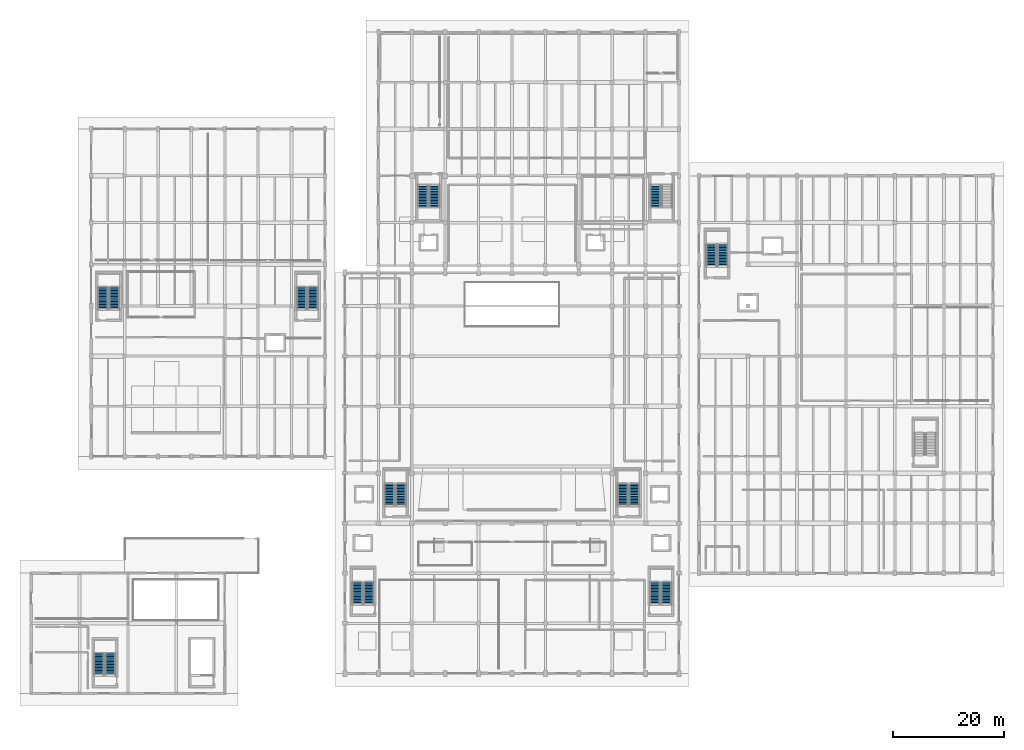
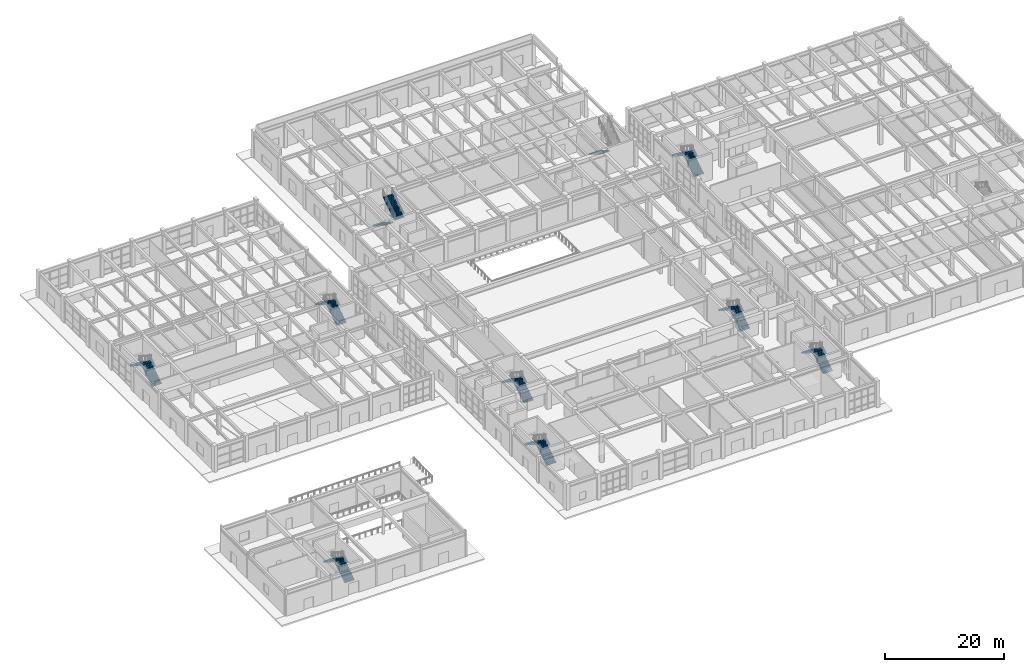
# One storey, part 79 of 91: 19 stair flights, 10 elements without a shape of their own.
"""IFC4 building model written with IfcOpenShell, lengths in metres."""

from ifc_helpers import new_model, si_unit, direction, frame, origin, place, context, subcontext, project, spatial, polyline, outline, extrude, material, type_object, element, aggregate, save


model = new_model("IFC4")

# Units and contexts
model_context = context("Model", 3, precision=1e-05, world=origin(), true_north=direction((0.0, 1.0)))
body_context = subcontext(model_context, "Body", "Model", "MODEL_VIEW")
ifc_project = project(units=[si_unit("LENGTHUNIT", "METRE"), si_unit("AREAUNIT", "SQUARE_METRE"), si_unit("VOLUMEUNIT", "CUBIC_METRE"), si_unit("PLANEANGLEUNIT", "RADIAN"), si_unit("MASSUNIT", "GRAM", prefix="KILO")], contexts=[model_context])

# Site, building, storey
site_placement = place(None, origin())
site = spatial("IfcSite", under=ifc_project, at=site_placement, CompositionType="ELEMENT")
building_placement = place(site_placement, origin())
building = spatial("IfcBuilding", under=site, at=building_placement, Name="Vaelkrest Opera House", CompositionType="ELEMENT")
storey_placement = place(building_placement, origin())
storey = spatial("IfcBuildingStorey", under=building, at=storey_placement, Name="L00", CompositionType="ELEMENT", Elevation=0.0)

# Stair, stair flights
ifc_material = material(Name="Concrete C40/50", Category="concrete")
stair_type_1 = type_object("IfcStairType", Name="ST01", PredefinedType="TWO_STRAIGHT_RUN_STAIR", material=ifc_material)
stair_1_placement = place(storey_placement, origin())
stair_1 = element("IfcStair", 1, at=stair_1_placement, inside=storey, type_object=stair_type_1, Name="L00 Protected exit stair ST01", PredefinedType="TWO_STRAIGHT_RUN_STAIR")
stair_flight_type = type_object("IfcStairFlightType", Name="SFL176", PredefinedType="STRAIGHT", material=ifc_material)
stair_flight_1_placement = place(storey_placement, frame((-19.925048828125, -25.64990234375, 0.0), z_axis=(0.0, 0.0, 1.0), x_axis=(0.0, 1.0, 0.0)))
stair_flight_1 = element("IfcStairFlight", 2, at=stair_flight_1_placement, type_object=stair_flight_type, Name="ST01 flight 1", NumberOfRisers=15, NumberOfTreads=14, PredefinedType="STRAIGHT", RiserHeight=0.18, TreadLength=0.28, context=body_context, shape_type="SweptSolid", body=[
    extrude(outline(polyline([(0.0, 0.0), (0.0, 0.179931640625), (0.280029296875, 0.179931640625), (0.280029296875, 0.360107421875), (0.56005859375, 0.360107421875), (0.56005859375, 0.5400390625), (0.840087890625, 0.5400390625), (0.840087890625, 0.719970703125), (1.1201171875, 0.719970703125), (1.1201171875, 0.89990234375), (1.39990234375, 0.89990234375), (1.39990234375, 1.080078125), (1.679931640625, 1.080078125), (1.679931640625, 1.260009765625), (1.9599609375, 1.260009765625), (1.9599609375, 1.43994140625), (2.239990234375, 1.43994140625), (2.239990234375, 1.6201171875), (2.52001953125, 1.6201171875), (2.52001953125, 1.800048828125), (2.800048828125, 1.800048828125), (2.800048828125, 1.97998046875), (3.080078125, 1.97998046875), (3.080078125, 2.159912109375), (3.360107421875, 2.159912109375), (3.360107421875, 2.340087890625), (3.639892578125, 2.340087890625), (3.639892578125, 2.52001953125), (3.919921875, 2.52001953125), (3.919921875, 2.699951171875), (3.919921875, 2.329833984375), (0.295654296875, 0.0), (0.0, 0.0)])), frame((0.0, 0.925048828125, 0.0), z_axis=(0.0, -1.0, 0.0), x_axis=(1.0, 0.0, 0.0)), (0.0, 0.0, 1.0), 1.85009765625),
])
stair_flight_2_placement = place(storey_placement, frame((-21.97509765625, -21.72998046875, 2.699951171875), z_axis=(0.0, 0.0, 1.0), x_axis=(0.0, -1.0, 0.0)))
stair_flight_2 = element("IfcStairFlight", 3, at=stair_flight_2_placement, type_object=stair_flight_type, Name="ST01 flight 2", NumberOfRisers=15, NumberOfTreads=14, PredefinedType="STRAIGHT", RiserHeight=0.18, TreadLength=0.28, context=body_context, shape_type="SweptSolid", body=[
    extrude(outline(polyline([(0.0, 0.0), (0.0, 0.179931640625), (0.280029296875, 0.179931640625), (0.280029296875, 0.360107421875), (0.56005859375, 0.360107421875), (0.56005859375, 0.5400390625), (0.840087890625, 0.5400390625), (0.840087890625, 0.719970703125), (1.1201171875, 0.719970703125), (1.1201171875, 0.89990234375), (1.39990234375, 0.89990234375), (1.39990234375, 1.080078125), (1.679931640625, 1.080078125), (1.679931640625, 1.260009765625), (1.9599609375, 1.260009765625), (1.9599609375, 1.43994140625), (2.239990234375, 1.43994140625), (2.239990234375, 1.6201171875), (2.52001953125, 1.6201171875), (2.52001953125, 1.800048828125), (2.800048828125, 1.800048828125), (2.800048828125, 1.97998046875), (3.080078125, 1.97998046875), (3.080078125, 2.159912109375), (3.360107421875, 2.159912109375), (3.360107421875, 2.340087890625), (3.639892578125, 2.340087890625), (3.639892578125, 2.52001953125), (3.919921875, 2.52001953125), (3.919921875, 2.699951171875), (3.919921875, 2.329833984375), (0.295654296875, 0.0), (0.0, 0.0)])), frame((0.0, 0.925048828125, 0.0), z_axis=(0.0, -1.0, 0.0), x_axis=(1.0, 0.0, 0.0)), (0.0, 0.0, 1.0), 1.85009765625),
])
aggregate(stair_1, [stair_flight_1, stair_flight_2])

stair_type_2 = type_object("IfcStairType", Name="ST02", PredefinedType="TWO_STRAIGHT_RUN_STAIR", material=ifc_material)
stair_2_placement = place(storey_placement, origin())
stair_2 = element("IfcStair", 4, at=stair_2_placement, inside=storey, type_object=stair_type_2, Name="L00 Protected exit stair ST02", PredefinedType="TWO_STRAIGHT_RUN_STAIR")
stair_flight_3_placement = place(storey_placement, frame((21.97509765625, -25.64990234375, 0.0), z_axis=(0.0, 0.0, 1.0), x_axis=(0.0, 1.0, 0.0)))
stair_flight_3 = element("IfcStairFlight", 5, at=stair_flight_3_placement, type_object=stair_flight_type, Name="ST02 flight 1", NumberOfRisers=15, NumberOfTreads=14, PredefinedType="STRAIGHT", RiserHeight=0.18, TreadLength=0.28, context=body_context, shape_type="SweptSolid", body=[
    extrude(outline(polyline([(0.0, 0.0), (0.0, 0.179931640625), (0.280029296875, 0.179931640625), (0.280029296875, 0.360107421875), (0.56005859375, 0.360107421875), (0.56005859375, 0.5400390625), (0.840087890625, 0.5400390625), (0.840087890625, 0.719970703125), (1.1201171875, 0.719970703125), (1.1201171875, 0.89990234375), (1.39990234375, 0.89990234375), (1.39990234375, 1.080078125), (1.679931640625, 1.080078125), (1.679931640625, 1.260009765625), (1.9599609375, 1.260009765625), (1.9599609375, 1.43994140625), (2.239990234375, 1.43994140625), (2.239990234375, 1.6201171875), (2.52001953125, 1.6201171875), (2.52001953125, 1.800048828125), (2.800048828125, 1.800048828125), (2.800048828125, 1.97998046875), (3.080078125, 1.97998046875), (3.080078125, 2.159912109375), (3.360107421875, 2.159912109375), (3.360107421875, 2.340087890625), (3.639892578125, 2.340087890625), (3.639892578125, 2.52001953125), (3.919921875, 2.52001953125), (3.919921875, 2.699951171875), (3.919921875, 2.329833984375), (0.295654296875, 0.0), (0.0, 0.0)])), frame((0.0, 0.925048828125, 0.0), z_axis=(0.0, -1.0, 0.0), x_axis=(1.0, 0.0, 0.0)), (0.0, 0.0, 1.0), 1.85009765625),
])
stair_flight_4_placement = place(storey_placement, frame((19.925048828125, -21.72998046875, 2.699951171875), z_axis=(0.0, 0.0, 1.0), x_axis=(0.0, -1.0, 0.0)))
stair_flight_4 = element("IfcStairFlight", 6, at=stair_flight_4_placement, type_object=stair_flight_type, Name="ST02 flight 2", NumberOfRisers=15, NumberOfTreads=14, PredefinedType="STRAIGHT", RiserHeight=0.18, TreadLength=0.28, context=body_context, shape_type="SweptSolid", body=[
    extrude(outline(polyline([(0.0, 0.0), (0.0, 0.179931640625), (0.280029296875, 0.179931640625), (0.280029296875, 0.360107421875), (0.56005859375, 0.360107421875), (0.56005859375, 0.5400390625), (0.840087890625, 0.5400390625), (0.840087890625, 0.719970703125), (1.1201171875, 0.719970703125), (1.1201171875, 0.89990234375), (1.39990234375, 0.89990234375), (1.39990234375, 1.080078125), (1.679931640625, 1.080078125), (1.679931640625, 1.260009765625), (1.9599609375, 1.260009765625), (1.9599609375, 1.43994140625), (2.239990234375, 1.43994140625), (2.239990234375, 1.6201171875), (2.52001953125, 1.6201171875), (2.52001953125, 1.800048828125), (2.800048828125, 1.800048828125), (2.800048828125, 1.97998046875), (3.080078125, 1.97998046875), (3.080078125, 2.159912109375), (3.360107421875, 2.159912109375), (3.360107421875, 2.340087890625), (3.639892578125, 2.340087890625), (3.639892578125, 2.52001953125), (3.919921875, 2.52001953125), (3.919921875, 2.699951171875), (3.919921875, 2.329833984375), (0.295654296875, 0.0), (0.0, 0.0)])), frame((0.0, 0.925048828125, 0.0), z_axis=(0.0, -1.0, 0.0), x_axis=(1.0, 0.0, 0.0)), (0.0, 0.0, 1.0), 1.85009765625),
])
aggregate(stair_2, [stair_flight_3, stair_flight_4])

stair_type_3 = type_object("IfcStairType", Name="ST03", PredefinedType="TWO_STRAIGHT_RUN_STAIR", material=ifc_material)
stair_3_placement = place(storey_placement, origin())
stair_3 = element("IfcStair", 7, at=stair_3_placement, inside=storey, type_object=stair_type_3, Name="L00 Protected exit stair ST03", PredefinedType="TWO_STRAIGHT_RUN_STAIR")
stair_flight_5_placement = place(storey_placement, frame((-25.72509765625, -43.35009765625, 0.0), z_axis=(0.0, 0.0, 1.0), x_axis=(0.0, 1.0, 0.0)))
stair_flight_5 = element("IfcStairFlight", 8, at=stair_flight_5_placement, type_object=stair_flight_type, Name="ST03 flight 1", NumberOfRisers=15, NumberOfTreads=14, PredefinedType="STRAIGHT", RiserHeight=0.18, TreadLength=0.28, context=body_context, shape_type="SweptSolid", body=[
    extrude(outline(polyline([(0.0, 0.0), (0.0, 0.179931640625), (0.280029296875, 0.179931640625), (0.280029296875, 0.360107421875), (0.56005859375, 0.360107421875), (0.56005859375, 0.5400390625), (0.840087890625, 0.5400390625), (0.840087890625, 0.719970703125), (1.1201171875, 0.719970703125), (1.1201171875, 0.89990234375), (1.39990234375, 0.89990234375), (1.39990234375, 1.080078125), (1.679931640625, 1.080078125), (1.679931640625, 1.260009765625), (1.9599609375, 1.260009765625), (1.9599609375, 1.43994140625), (2.239990234375, 1.43994140625), (2.239990234375, 1.6201171875), (2.52001953125, 1.6201171875), (2.52001953125, 1.800048828125), (2.800048828125, 1.800048828125), (2.800048828125, 1.97998046875), (3.080078125, 1.97998046875), (3.080078125, 2.159912109375), (3.360107421875, 2.159912109375), (3.360107421875, 2.340087890625), (3.639892578125, 2.340087890625), (3.639892578125, 2.52001953125), (3.919921875, 2.52001953125), (3.919921875, 2.699951171875), (3.919921875, 2.329833984375), (0.295654296875, 0.0), (0.0, 0.0)])), frame((0.0, 0.925048828125, 0.0), z_axis=(0.0, -1.0, 0.0), x_axis=(1.0, 0.0, 0.0)), (0.0, 0.0, 1.0), 1.85009765625),
])
stair_flight_6_placement = place(storey_placement, frame((-27.77490234375, -39.429931640625, 2.699951171875), z_axis=(0.0, 0.0, 1.0), x_axis=(0.0, -1.0, 0.0)))
stair_flight_6 = element("IfcStairFlight", 9, at=stair_flight_6_placement, type_object=stair_flight_type, Name="ST03 flight 2", NumberOfRisers=15, NumberOfTreads=14, PredefinedType="STRAIGHT", RiserHeight=0.18, TreadLength=0.28, context=body_context, shape_type="SweptSolid", body=[
    extrude(outline(polyline([(0.0, 0.0), (0.0, 0.179931640625), (0.280029296875, 0.179931640625), (0.280029296875, 0.360107421875), (0.56005859375, 0.360107421875), (0.56005859375, 0.5400390625), (0.840087890625, 0.5400390625), (0.840087890625, 0.719970703125), (1.1201171875, 0.719970703125), (1.1201171875, 0.89990234375), (1.39990234375, 0.89990234375), (1.39990234375, 1.080078125), (1.679931640625, 1.080078125), (1.679931640625, 1.260009765625), (1.9599609375, 1.260009765625), (1.9599609375, 1.43994140625), (2.239990234375, 1.43994140625), (2.239990234375, 1.6201171875), (2.52001953125, 1.6201171875), (2.52001953125, 1.800048828125), (2.800048828125, 1.800048828125), (2.800048828125, 1.97998046875), (3.080078125, 1.97998046875), (3.080078125, 2.159912109375), (3.360107421875, 2.159912109375), (3.360107421875, 2.340087890625), (3.639892578125, 2.340087890625), (3.639892578125, 2.52001953125), (3.919921875, 2.52001953125), (3.919921875, 2.699951171875), (3.919921875, 2.329833984375), (0.295654296875, 0.0), (0.0, 0.0)])), frame((0.0, 0.925048828125, 0.0), z_axis=(0.0, -1.0, 0.0), x_axis=(1.0, 0.0, 0.0)), (0.0, 0.0, 1.0), 1.85009765625),
])
aggregate(stair_3, [stair_flight_5, stair_flight_6])

stair_type_4 = type_object("IfcStairType", Name="ST04", PredefinedType="TWO_STRAIGHT_RUN_STAIR", material=ifc_material)
stair_4_placement = place(storey_placement, origin())
stair_4 = element("IfcStair", 10, at=stair_4_placement, inside=storey, type_object=stair_type_4, Name="L00 Protected exit stair ST04", PredefinedType="TWO_STRAIGHT_RUN_STAIR")
stair_flight_7_placement = place(storey_placement, frame((27.77490234375, -43.35009765625, 0.0), z_axis=(0.0, 0.0, 1.0), x_axis=(0.0, 1.0, 0.0)))
stair_flight_7 = element("IfcStairFlight", 11, at=stair_flight_7_placement, type_object=stair_flight_type, Name="ST04 flight 1", NumberOfRisers=15, NumberOfTreads=14, PredefinedType="STRAIGHT", RiserHeight=0.18, TreadLength=0.28, context=body_context, shape_type="SweptSolid", body=[
    extrude(outline(polyline([(0.0, 0.0), (0.0, 0.179931640625), (0.280029296875, 0.179931640625), (0.280029296875, 0.360107421875), (0.56005859375, 0.360107421875), (0.56005859375, 0.5400390625), (0.840087890625, 0.5400390625), (0.840087890625, 0.719970703125), (1.1201171875, 0.719970703125), (1.1201171875, 0.89990234375), (1.39990234375, 0.89990234375), (1.39990234375, 1.080078125), (1.679931640625, 1.080078125), (1.679931640625, 1.260009765625), (1.9599609375, 1.260009765625), (1.9599609375, 1.43994140625), (2.239990234375, 1.43994140625), (2.239990234375, 1.6201171875), (2.52001953125, 1.6201171875), (2.52001953125, 1.800048828125), (2.800048828125, 1.800048828125), (2.800048828125, 1.97998046875), (3.080078125, 1.97998046875), (3.080078125, 2.159912109375), (3.360107421875, 2.159912109375), (3.360107421875, 2.340087890625), (3.639892578125, 2.340087890625), (3.639892578125, 2.52001953125), (3.919921875, 2.52001953125), (3.919921875, 2.699951171875), (3.919921875, 2.329833984375), (0.295654296875, 0.0), (0.0, 0.0)])), frame((0.0, 0.925048828125, 0.0), z_axis=(0.0, -1.0, 0.0), x_axis=(1.0, 0.0, 0.0)), (0.0, 0.0, 1.0), 1.85009765625),
])
stair_flight_8_placement = place(storey_placement, frame((25.72509765625, -39.429931640625, 2.699951171875), z_axis=(0.0, 0.0, 1.0), x_axis=(0.0, -1.0, 0.0)))
stair_flight_8 = element("IfcStairFlight", 12, at=stair_flight_8_placement, type_object=stair_flight_type, Name="ST04 flight 2", NumberOfRisers=15, NumberOfTreads=14, PredefinedType="STRAIGHT", RiserHeight=0.18, TreadLength=0.28, context=body_context, shape_type="SweptSolid", body=[
    extrude(outline(polyline([(0.0, 0.0), (0.0, 0.179931640625), (0.280029296875, 0.179931640625), (0.280029296875, 0.360107421875), (0.56005859375, 0.360107421875), (0.56005859375, 0.5400390625), (0.840087890625, 0.5400390625), (0.840087890625, 0.719970703125), (1.1201171875, 0.719970703125), (1.1201171875, 0.89990234375), (1.39990234375, 0.89990234375), (1.39990234375, 1.080078125), (1.679931640625, 1.080078125), (1.679931640625, 1.260009765625), (1.9599609375, 1.260009765625), (1.9599609375, 1.43994140625), (2.239990234375, 1.43994140625), (2.239990234375, 1.6201171875), (2.52001953125, 1.6201171875), (2.52001953125, 1.800048828125), (2.800048828125, 1.800048828125), (2.800048828125, 1.97998046875), (3.080078125, 1.97998046875), (3.080078125, 2.159912109375), (3.360107421875, 2.159912109375), (3.360107421875, 2.340087890625), (3.639892578125, 2.340087890625), (3.639892578125, 2.52001953125), (3.919921875, 2.52001953125), (3.919921875, 2.699951171875), (3.919921875, 2.329833984375), (0.295654296875, 0.0), (0.0, 0.0)])), frame((0.0, 0.925048828125, 0.0), z_axis=(0.0, -1.0, 0.0), x_axis=(1.0, 0.0, 0.0)), (0.0, 0.0, 1.0), 1.85009765625),
])
aggregate(stair_4, [stair_flight_7, stair_flight_8])

stair_type_5 = type_object("IfcStairType", Name="ST05", PredefinedType="TWO_STRAIGHT_RUN_STAIR", material=ifc_material)
stair_5_placement = place(storey_placement, origin())
stair_5 = element("IfcStair", 13, at=stair_5_placement, inside=storey, type_object=stair_type_5, Name="L00 Protected exit stair ST05", PredefinedType="TWO_STRAIGHT_RUN_STAIR")
stair_flight_9_placement = place(storey_placement, frame((-15.97509765625, 31.949951171875, 0.0), z_axis=(0.0, 0.0, 1.0), x_axis=(0.0, -1.0, 0.0)))
stair_flight_9 = element("IfcStairFlight", 14, at=stair_flight_9_placement, type_object=stair_flight_type, Name="ST05 flight 1", NumberOfRisers=15, NumberOfTreads=14, PredefinedType="STRAIGHT", RiserHeight=0.18, TreadLength=0.28, context=body_context, shape_type="SweptSolid", body=[
    extrude(outline(polyline([(0.0, 0.0), (0.0, 0.179931640625), (0.280029296875, 0.179931640625), (0.280029296875, 0.360107421875), (0.56005859375, 0.360107421875), (0.56005859375, 0.5400390625), (0.840087890625, 0.5400390625), (0.840087890625, 0.719970703125), (1.1201171875, 0.719970703125), (1.1201171875, 0.89990234375), (1.39990234375, 0.89990234375), (1.39990234375, 1.080078125), (1.679931640625, 1.080078125), (1.679931640625, 1.260009765625), (1.9599609375, 1.260009765625), (1.9599609375, 1.43994140625), (2.239990234375, 1.43994140625), (2.239990234375, 1.6201171875), (2.52001953125, 1.6201171875), (2.52001953125, 1.800048828125), (2.800048828125, 1.800048828125), (2.800048828125, 1.97998046875), (3.080078125, 1.97998046875), (3.080078125, 2.159912109375), (3.360107421875, 2.159912109375), (3.360107421875, 2.340087890625), (3.639892578125, 2.340087890625), (3.639892578125, 2.52001953125), (3.919921875, 2.52001953125), (3.919921875, 2.699951171875), (3.919921875, 2.329833984375), (0.295654296875, 0.0), (0.0, 0.0)])), frame((0.0, 0.925048828125, 0.0), z_axis=(0.0, -1.0, 0.0), x_axis=(1.0, 0.0, 0.0)), (0.0, 0.0, 1.0), 1.85009765625),
])
stair_flight_10_placement = place(storey_placement, frame((-13.925048828125, 28.030029296875, 2.699951171875), z_axis=(0.0, 0.0, 1.0), x_axis=(0.0, 1.0, 0.0)))
stair_flight_10 = element("IfcStairFlight", 15, at=stair_flight_10_placement, type_object=stair_flight_type, Name="ST05 flight 2", NumberOfRisers=15, NumberOfTreads=14, PredefinedType="STRAIGHT", RiserHeight=0.18, TreadLength=0.28, context=body_context, shape_type="SweptSolid", body=[
    extrude(outline(polyline([(0.0, 0.0), (0.0, 0.179931640625), (0.280029296875, 0.179931640625), (0.280029296875, 0.360107421875), (0.56005859375, 0.360107421875), (0.56005859375, 0.5400390625), (0.840087890625, 0.5400390625), (0.840087890625, 0.719970703125), (1.1201171875, 0.719970703125), (1.1201171875, 0.89990234375), (1.39990234375, 0.89990234375), (1.39990234375, 1.080078125), (1.679931640625, 1.080078125), (1.679931640625, 1.260009765625), (1.9599609375, 1.260009765625), (1.9599609375, 1.43994140625), (2.239990234375, 1.43994140625), (2.239990234375, 1.6201171875), (2.52001953125, 1.6201171875), (2.52001953125, 1.800048828125), (2.800048828125, 1.800048828125), (2.800048828125, 1.97998046875), (3.080078125, 1.97998046875), (3.080078125, 2.159912109375), (3.360107421875, 2.159912109375), (3.360107421875, 2.340087890625), (3.639892578125, 2.340087890625), (3.639892578125, 2.52001953125), (3.919921875, 2.52001953125), (3.919921875, 2.699951171875), (3.919921875, 2.329833984375), (0.295654296875, 0.0), (0.0, 0.0)])), frame((0.0, 0.925048828125, 0.0), z_axis=(0.0, -1.0, 0.0), x_axis=(1.0, 0.0, 0.0)), (0.0, 0.0, 1.0), 1.85009765625),
])
aggregate(stair_5, [stair_flight_9, stair_flight_10])

# Stair, stair flight
stair_type_6 = type_object("IfcStairType", Name="ST06", PredefinedType="TWO_STRAIGHT_RUN_STAIR", material=ifc_material)
stair_6_placement = place(storey_placement, origin())
stair_6 = element("IfcStair", 16, at=stair_6_placement, inside=storey, type_object=stair_type_6, Name="L00 Protected exit stair ST06", PredefinedType="TWO_STRAIGHT_RUN_STAIR")
stair_flight_11_placement = place(storey_placement, frame((25.824951171875, 31.949951171875, 0.0), z_axis=(0.0, 0.0, 1.0), x_axis=(0.0, -1.0, 0.0)))
stair_flight_11 = element("IfcStairFlight", 17, at=stair_flight_11_placement, type_object=stair_flight_type, Name="ST06 flight 1", NumberOfRisers=15, NumberOfTreads=14, PredefinedType="STRAIGHT", RiserHeight=0.18, TreadLength=0.28, context=body_context, shape_type="SweptSolid", body=[
    extrude(outline(polyline([(0.0, 0.0), (0.0, 0.179931640625), (0.280029296875, 0.179931640625), (0.280029296875, 0.360107421875), (0.56005859375, 0.360107421875), (0.56005859375, 0.5400390625), (0.840087890625, 0.5400390625), (0.840087890625, 0.719970703125), (1.1201171875, 0.719970703125), (1.1201171875, 0.89990234375), (1.39990234375, 0.89990234375), (1.39990234375, 1.080078125), (1.679931640625, 1.080078125), (1.679931640625, 1.260009765625), (1.9599609375, 1.260009765625), (1.9599609375, 1.43994140625), (2.239990234375, 1.43994140625), (2.239990234375, 1.6201171875), (2.52001953125, 1.6201171875), (2.52001953125, 1.800048828125), (2.800048828125, 1.800048828125), (2.800048828125, 1.97998046875), (3.080078125, 1.97998046875), (3.080078125, 2.159912109375), (3.360107421875, 2.159912109375), (3.360107421875, 2.340087890625), (3.639892578125, 2.340087890625), (3.639892578125, 2.52001953125), (3.919921875, 2.52001953125), (3.919921875, 2.699951171875), (3.919921875, 2.329833984375), (0.295654296875, 0.0), (0.0, 0.0)])), frame((0.0, 0.925048828125, 0.0), z_axis=(0.0, -1.0, 0.0), x_axis=(1.0, 0.0, 0.0)), (0.0, 0.0, 1.0), 1.85009765625),
])
aggregate(stair_6, [stair_flight_11])

# Stair, stair flights
stair_type_7 = type_object("IfcStairType", Name="ST07", PredefinedType="TWO_STRAIGHT_RUN_STAIR", material=ifc_material)
stair_7_placement = place(storey_placement, origin())
stair_7 = element("IfcStair", 18, at=stair_7_placement, inside=storey, type_object=stair_type_7, Name="L00 Protected exit stair ST07", PredefinedType="TWO_STRAIGHT_RUN_STAIR")
stair_flight_12_placement = place(storey_placement, frame((-71.425048828125, 9.64990234375, 0.0), z_axis=(0.0, 0.0, 1.0), x_axis=(0.0, 1.0, 0.0)))
stair_flight_12 = element("IfcStairFlight", 19, at=stair_flight_12_placement, type_object=stair_flight_type, Name="ST07 flight 1", NumberOfRisers=15, NumberOfTreads=14, PredefinedType="STRAIGHT", RiserHeight=0.18, TreadLength=0.28, context=body_context, shape_type="SweptSolid", body=[
    extrude(outline(polyline([(0.0, 0.0), (0.0, 0.179931640625), (0.280029296875, 0.179931640625), (0.280029296875, 0.360107421875), (0.56005859375, 0.360107421875), (0.56005859375, 0.5400390625), (0.840087890625, 0.5400390625), (0.840087890625, 0.719970703125), (1.1201171875, 0.719970703125), (1.1201171875, 0.89990234375), (1.39990234375, 0.89990234375), (1.39990234375, 1.080078125), (1.679931640625, 1.080078125), (1.679931640625, 1.260009765625), (1.9599609375, 1.260009765625), (1.9599609375, 1.43994140625), (2.239990234375, 1.43994140625), (2.239990234375, 1.6201171875), (2.52001953125, 1.6201171875), (2.52001953125, 1.800048828125), (2.800048828125, 1.800048828125), (2.800048828125, 1.97998046875), (3.080078125, 1.97998046875), (3.080078125, 2.159912109375), (3.360107421875, 2.159912109375), (3.360107421875, 2.340087890625), (3.639892578125, 2.340087890625), (3.639892578125, 2.52001953125), (3.919921875, 2.52001953125), (3.919921875, 2.699951171875), (3.919921875, 2.329833984375), (0.295654296875, 0.0), (0.0, 0.0)])), frame((0.0, 0.925048828125, 0.0), z_axis=(0.0, -1.0, 0.0), x_axis=(1.0, 0.0, 0.0)), (0.0, 0.0, 1.0), 1.85009765625),
])
stair_flight_13_placement = place(storey_placement, frame((-73.47509765625, 13.570068359375, 2.699951171875), z_axis=(0.0, 0.0, 1.0), x_axis=(0.0, -1.0, 0.0)))
stair_flight_13 = element("IfcStairFlight", 20, at=stair_flight_13_placement, type_object=stair_flight_type, Name="ST07 flight 2", NumberOfRisers=15, NumberOfTreads=14, PredefinedType="STRAIGHT", RiserHeight=0.18, TreadLength=0.28, context=body_context, shape_type="SweptSolid", body=[
    extrude(outline(polyline([(0.0, 0.0), (0.0, 0.179931640625), (0.280029296875, 0.179931640625), (0.280029296875, 0.360107421875), (0.56005859375, 0.360107421875), (0.56005859375, 0.5400390625), (0.840087890625, 0.5400390625), (0.840087890625, 0.719970703125), (1.1201171875, 0.719970703125), (1.1201171875, 0.89990234375), (1.39990234375, 0.89990234375), (1.39990234375, 1.080078125), (1.679931640625, 1.080078125), (1.679931640625, 1.260009765625), (1.9599609375, 1.260009765625), (1.9599609375, 1.43994140625), (2.239990234375, 1.43994140625), (2.239990234375, 1.6201171875), (2.52001953125, 1.6201171875), (2.52001953125, 1.800048828125), (2.800048828125, 1.800048828125), (2.800048828125, 1.97998046875), (3.080078125, 1.97998046875), (3.080078125, 2.159912109375), (3.360107421875, 2.159912109375), (3.360107421875, 2.340087890625), (3.639892578125, 2.340087890625), (3.639892578125, 2.52001953125), (3.919921875, 2.52001953125), (3.919921875, 2.699951171875), (3.919921875, 2.329833984375), (0.295654296875, 0.0), (0.0, 0.0)])), frame((0.0, 0.925048828125, 0.0), z_axis=(0.0, -1.0, 0.0), x_axis=(1.0, 0.0, 0.0)), (0.0, 0.0, 1.0), 1.85009765625),
])
aggregate(stair_7, [stair_flight_12, stair_flight_13])

stair_type_8 = type_object("IfcStairType", Name="ST08", PredefinedType="TWO_STRAIGHT_RUN_STAIR", material=ifc_material)
stair_8_placement = place(storey_placement, origin())
stair_8 = element("IfcStair", 21, at=stair_8_placement, inside=storey, type_object=stair_type_8, Name="L00 Protected exit stair ST08", PredefinedType="TWO_STRAIGHT_RUN_STAIR")
stair_flight_14_placement = place(storey_placement, frame((-35.72509765625, 9.64990234375, 0.0), z_axis=(0.0, 0.0, 1.0), x_axis=(0.0, 1.0, 0.0)))
stair_flight_14 = element("IfcStairFlight", 22, at=stair_flight_14_placement, type_object=stair_flight_type, Name="ST08 flight 1", NumberOfRisers=15, NumberOfTreads=14, PredefinedType="STRAIGHT", RiserHeight=0.18, TreadLength=0.28, context=body_context, shape_type="SweptSolid", body=[
    extrude(outline(polyline([(0.0, 0.0), (0.0, 0.179931640625), (0.280029296875, 0.179931640625), (0.280029296875, 0.360107421875), (0.56005859375, 0.360107421875), (0.56005859375, 0.5400390625), (0.840087890625, 0.5400390625), (0.840087890625, 0.719970703125), (1.1201171875, 0.719970703125), (1.1201171875, 0.89990234375), (1.39990234375, 0.89990234375), (1.39990234375, 1.080078125), (1.679931640625, 1.080078125), (1.679931640625, 1.260009765625), (1.9599609375, 1.260009765625), (1.9599609375, 1.43994140625), (2.239990234375, 1.43994140625), (2.239990234375, 1.6201171875), (2.52001953125, 1.6201171875), (2.52001953125, 1.800048828125), (2.800048828125, 1.800048828125), (2.800048828125, 1.97998046875), (3.080078125, 1.97998046875), (3.080078125, 2.159912109375), (3.360107421875, 2.159912109375), (3.360107421875, 2.340087890625), (3.639892578125, 2.340087890625), (3.639892578125, 2.52001953125), (3.919921875, 2.52001953125), (3.919921875, 2.699951171875), (3.919921875, 2.329833984375), (0.295654296875, 0.0), (0.0, 0.0)])), frame((0.0, 0.925048828125, 0.0), z_axis=(0.0, -1.0, 0.0), x_axis=(1.0, 0.0, 0.0)), (0.0, 0.0, 1.0), 1.85009765625),
])
stair_flight_15_placement = place(storey_placement, frame((-37.77490234375, 13.570068359375, 2.699951171875), z_axis=(0.0, 0.0, 1.0), x_axis=(0.0, -1.0, 0.0)))
stair_flight_15 = element("IfcStairFlight", 23, at=stair_flight_15_placement, type_object=stair_flight_type, Name="ST08 flight 2", NumberOfRisers=15, NumberOfTreads=14, PredefinedType="STRAIGHT", RiserHeight=0.18, TreadLength=0.28, context=body_context, shape_type="SweptSolid", body=[
    extrude(outline(polyline([(0.0, 0.0), (0.0, 0.179931640625), (0.280029296875, 0.179931640625), (0.280029296875, 0.360107421875), (0.56005859375, 0.360107421875), (0.56005859375, 0.5400390625), (0.840087890625, 0.5400390625), (0.840087890625, 0.719970703125), (1.1201171875, 0.719970703125), (1.1201171875, 0.89990234375), (1.39990234375, 0.89990234375), (1.39990234375, 1.080078125), (1.679931640625, 1.080078125), (1.679931640625, 1.260009765625), (1.9599609375, 1.260009765625), (1.9599609375, 1.43994140625), (2.239990234375, 1.43994140625), (2.239990234375, 1.6201171875), (2.52001953125, 1.6201171875), (2.52001953125, 1.800048828125), (2.800048828125, 1.800048828125), (2.800048828125, 1.97998046875), (3.080078125, 1.97998046875), (3.080078125, 2.159912109375), (3.360107421875, 2.159912109375), (3.360107421875, 2.340087890625), (3.639892578125, 2.340087890625), (3.639892578125, 2.52001953125), (3.919921875, 2.52001953125), (3.919921875, 2.699951171875), (3.919921875, 2.329833984375), (0.295654296875, 0.0), (0.0, 0.0)])), frame((0.0, 0.925048828125, 0.0), z_axis=(0.0, -1.0, 0.0), x_axis=(1.0, 0.0, 0.0)), (0.0, 0.0, 1.0), 1.85009765625),
])
aggregate(stair_8, [stair_flight_14, stair_flight_15])

stair_type_9 = type_object("IfcStairType", Name="ST09", PredefinedType="TWO_STRAIGHT_RUN_STAIR", material=ifc_material)
stair_9_placement = place(storey_placement, origin())
stair_9 = element("IfcStair", 24, at=stair_9_placement, inside=storey, type_object=stair_type_9, Name="L00 Protected exit stair ST09", PredefinedType="TWO_STRAIGHT_RUN_STAIR")
stair_flight_16_placement = place(storey_placement, frame((37.875, 17.35009765625, 0.0), z_axis=(0.0, 0.0, 1.0), x_axis=(0.0, 1.0, 0.0)))
stair_flight_16 = element("IfcStairFlight", 25, at=stair_flight_16_placement, type_object=stair_flight_type, Name="ST09 flight 1", NumberOfRisers=15, NumberOfTreads=14, PredefinedType="STRAIGHT", RiserHeight=0.18, TreadLength=0.28, context=body_context, shape_type="SweptSolid", body=[
    extrude(outline(polyline([(0.0, 0.0), (0.0, 0.179931640625), (0.280029296875, 0.179931640625), (0.280029296875, 0.360107421875), (0.56005859375, 0.360107421875), (0.56005859375, 0.5400390625), (0.840087890625, 0.5400390625), (0.840087890625, 0.719970703125), (1.1201171875, 0.719970703125), (1.1201171875, 0.89990234375), (1.39990234375, 0.89990234375), (1.39990234375, 1.080078125), (1.679931640625, 1.080078125), (1.679931640625, 1.260009765625), (1.9599609375, 1.260009765625), (1.9599609375, 1.43994140625), (2.239990234375, 1.43994140625), (2.239990234375, 1.6201171875), (2.52001953125, 1.6201171875), (2.52001953125, 1.800048828125), (2.800048828125, 1.800048828125), (2.800048828125, 1.97998046875), (3.080078125, 1.97998046875), (3.080078125, 2.159912109375), (3.360107421875, 2.159912109375), (3.360107421875, 2.340087890625), (3.639892578125, 2.340087890625), (3.639892578125, 2.52001953125), (3.919921875, 2.52001953125), (3.919921875, 2.699951171875), (3.919921875, 2.329833984375), (0.295654296875, 0.0), (0.0, 0.0)])), frame((0.0, 0.925048828125, 0.0), z_axis=(0.0, -1.0, 0.0), x_axis=(1.0, 0.0, 0.0)), (0.0, 0.0, 1.0), 1.85009765625),
])
stair_flight_17_placement = place(storey_placement, frame((35.824951171875, 21.27001953125, 2.699951171875), z_axis=(0.0, 0.0, 1.0), x_axis=(0.0, -1.0, 0.0)))
stair_flight_17 = element("IfcStairFlight", 26, at=stair_flight_17_placement, type_object=stair_flight_type, Name="ST09 flight 2", NumberOfRisers=15, NumberOfTreads=14, PredefinedType="STRAIGHT", RiserHeight=0.18, TreadLength=0.28, context=body_context, shape_type="SweptSolid", body=[
    extrude(outline(polyline([(0.0, 0.0), (0.0, 0.179931640625), (0.280029296875, 0.179931640625), (0.280029296875, 0.360107421875), (0.56005859375, 0.360107421875), (0.56005859375, 0.5400390625), (0.840087890625, 0.5400390625), (0.840087890625, 0.719970703125), (1.1201171875, 0.719970703125), (1.1201171875, 0.89990234375), (1.39990234375, 0.89990234375), (1.39990234375, 1.080078125), (1.679931640625, 1.080078125), (1.679931640625, 1.260009765625), (1.9599609375, 1.260009765625), (1.9599609375, 1.43994140625), (2.239990234375, 1.43994140625), (2.239990234375, 1.6201171875), (2.52001953125, 1.6201171875), (2.52001953125, 1.800048828125), (2.800048828125, 1.800048828125), (2.800048828125, 1.97998046875), (3.080078125, 1.97998046875), (3.080078125, 2.159912109375), (3.360107421875, 2.159912109375), (3.360107421875, 2.340087890625), (3.639892578125, 2.340087890625), (3.639892578125, 2.52001953125), (3.919921875, 2.52001953125), (3.919921875, 2.699951171875), (3.919921875, 2.329833984375), (0.295654296875, 0.0), (0.0, 0.0)])), frame((0.0, 0.925048828125, 0.0), z_axis=(0.0, -1.0, 0.0), x_axis=(1.0, 0.0, 0.0)), (0.0, 0.0, 1.0), 1.85009765625),
])
aggregate(stair_9, [stair_flight_16, stair_flight_17])

stair_type_10 = type_object("IfcStairType", Name="ST11", PredefinedType="TWO_STRAIGHT_RUN_STAIR", material=ifc_material)
stair_10_placement = place(storey_placement, origin())
stair_10 = element("IfcStair", 27, at=stair_10_placement, inside=storey, type_object=stair_type_10, Name="L00 Protected exit stair ST11", PredefinedType="TWO_STRAIGHT_RUN_STAIR")
stair_flight_18_placement = place(storey_placement, frame((-72.125, -56.14990234375, 0.0), z_axis=(0.0, 0.0, 1.0), x_axis=(0.0, 1.0, 0.0)))
stair_flight_18 = element("IfcStairFlight", 28, at=stair_flight_18_placement, type_object=stair_flight_type, Name="ST11 flight 1", NumberOfRisers=15, NumberOfTreads=14, PredefinedType="STRAIGHT", RiserHeight=0.18, TreadLength=0.28, context=body_context, shape_type="SweptSolid", body=[
    extrude(outline(polyline([(0.0, 0.0), (0.0, 0.179931640625), (0.280029296875, 0.179931640625), (0.280029296875, 0.360107421875), (0.56005859375, 0.360107421875), (0.56005859375, 0.5400390625), (0.840087890625, 0.5400390625), (0.840087890625, 0.719970703125), (1.1201171875, 0.719970703125), (1.1201171875, 0.89990234375), (1.39990234375, 0.89990234375), (1.39990234375, 1.080078125), (1.679931640625, 1.080078125), (1.679931640625, 1.260009765625), (1.9599609375, 1.260009765625), (1.9599609375, 1.43994140625), (2.239990234375, 1.43994140625), (2.239990234375, 1.6201171875), (2.52001953125, 1.6201171875), (2.52001953125, 1.800048828125), (2.800048828125, 1.800048828125), (2.800048828125, 1.97998046875), (3.080078125, 1.97998046875), (3.080078125, 2.159912109375), (3.360107421875, 2.159912109375), (3.360107421875, 2.340087890625), (3.639892578125, 2.340087890625), (3.639892578125, 2.52001953125), (3.919921875, 2.52001953125), (3.919921875, 2.699951171875), (3.919921875, 2.329833984375), (0.295654296875, 0.0), (0.0, 0.0)])), frame((0.0, 0.925048828125, 0.0), z_axis=(0.0, -1.0, 0.0), x_axis=(1.0, 0.0, 0.0)), (0.0, 0.0, 1.0), 1.85009765625),
])
stair_flight_19_placement = place(storey_placement, frame((-74.175048828125, -52.22998046875, 2.699951171875), z_axis=(0.0, 0.0, 1.0), x_axis=(0.0, -1.0, 0.0)))
stair_flight_19 = element("IfcStairFlight", 29, at=stair_flight_19_placement, type_object=stair_flight_type, Name="ST11 flight 2", NumberOfRisers=15, NumberOfTreads=14, PredefinedType="STRAIGHT", RiserHeight=0.18, TreadLength=0.28, context=body_context, shape_type="SweptSolid", body=[
    extrude(outline(polyline([(0.0, 0.0), (0.0, 0.179931640625), (0.280029296875, 0.179931640625), (0.280029296875, 0.360107421875), (0.56005859375, 0.360107421875), (0.56005859375, 0.5400390625), (0.840087890625, 0.5400390625), (0.840087890625, 0.719970703125), (1.1201171875, 0.719970703125), (1.1201171875, 0.89990234375), (1.39990234375, 0.89990234375), (1.39990234375, 1.080078125), (1.679931640625, 1.080078125), (1.679931640625, 1.260009765625), (1.9599609375, 1.260009765625), (1.9599609375, 1.43994140625), (2.239990234375, 1.43994140625), (2.239990234375, 1.6201171875), (2.52001953125, 1.6201171875), (2.52001953125, 1.800048828125), (2.800048828125, 1.800048828125), (2.800048828125, 1.97998046875), (3.080078125, 1.97998046875), (3.080078125, 2.159912109375), (3.360107421875, 2.159912109375), (3.360107421875, 2.340087890625), (3.639892578125, 2.340087890625), (3.639892578125, 2.52001953125), (3.919921875, 2.52001953125), (3.919921875, 2.699951171875), (3.919921875, 2.329833984375), (0.295654296875, 0.0), (0.0, 0.0)])), frame((0.0, 0.925048828125, 0.0), z_axis=(0.0, -1.0, 0.0), x_axis=(1.0, 0.0, 0.0)), (0.0, 0.0, 1.0), 1.85009765625),
])
aggregate(stair_10, [stair_flight_18, stair_flight_19])

save(model, "model.ifc")
